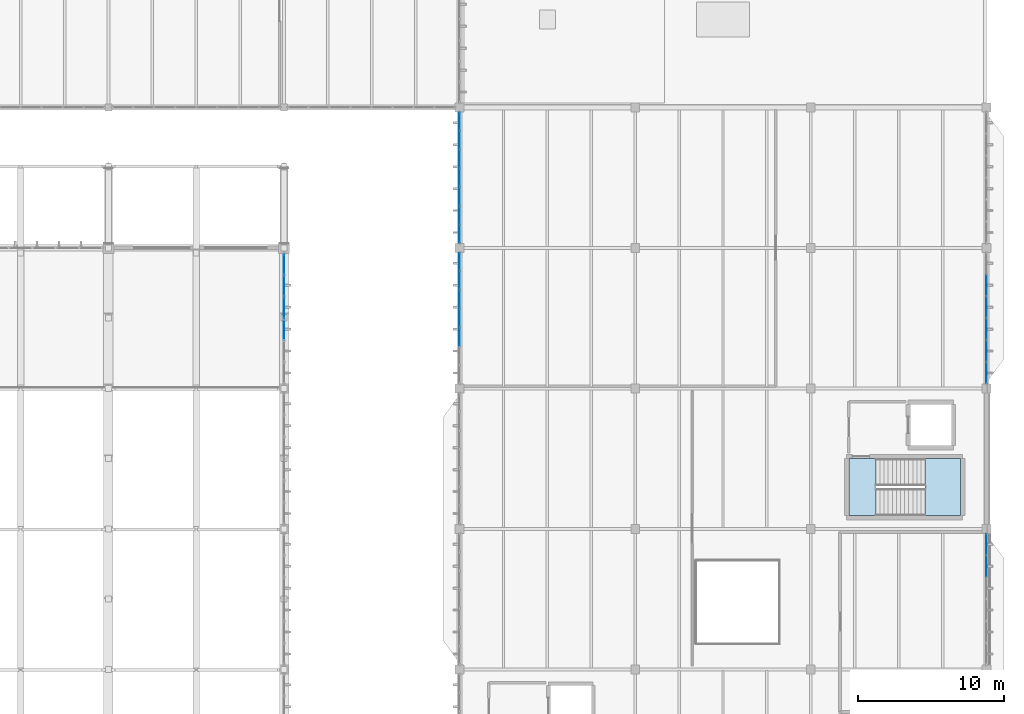
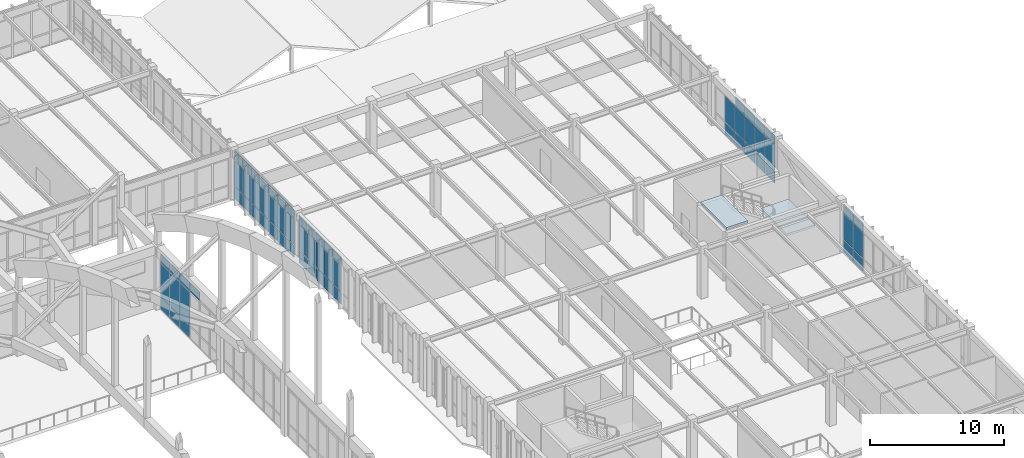
# One storey, part 205 of 236: 66 plates, 2 slabs, 6 elements without a shape of their own.
"""IFC4 building model written with IfcOpenShell, lengths in metres."""

import ifcopenshell
import ifcopenshell.guid

model = None  # the IFC model being written
_history = None  # IfcOwnerHistory: only IFC2X3 demands one
_inside = {}  # id of a spatial element -> (the spatial element, [elements in it])
_under = {}  # id of a project, library or spatial element -> (it, [spatial elements below it])
_declared = {}  # id of a project -> (the project, [libraries it declares])
_typed = {}  # id of a type object -> (the type object, [elements of that type])
_made_of = {}  # id of a material, layer set ... -> (it, [elements and type objects made of it])


def new_model(schema):
    """Start an empty IFC model of exactly this schema.

    Asked for "IFC4X3", IfcOpenShell would pick the latest addendum, in which some entities
    have other attributes; the version numbers below select the first issue.
    IFC2X3 requires an IfcOwnerHistory on every rooted entity: one is made here for all.
    """
    global model, _history
    if schema == "IFC4X3":
        model = ifcopenshell.file(schema_version=(4, 3, 0, 0))
    else:
        model = ifcopenshell.file(schema=schema)
    _inside.clear()
    _under.clear()
    _declared.clear()
    _typed.clear()
    _made_of.clear()
    _history = None
    if model.schema == "IFC2X3":
        org = make("IfcOrganization", Name="unknown")
        user = make(
            "IfcPersonAndOrganization",
            ThePerson=make("IfcPerson", FamilyName="unknown"),
            TheOrganization=org,
        )
        app = make(
            "IfcApplication",
            ApplicationDeveloper=org,
            Version="unknown",
            ApplicationFullName="unknown",
            ApplicationIdentifier="unknown",
        )
        _history = make(
            "IfcOwnerHistory",
            OwningUser=user,
            OwningApplication=app,
            ChangeAction="ADDED",
            CreationDate=0,
        )
    return model


def make(cls, **values):
    """One entity of the class cls with the attributes given. An attribute that is None is left unset."""
    return model.create_entity(
        cls, **{name: value for name, value in values.items() if value is not None}
    )


def rooted(cls, **values):
    """An entity with a GlobalId (a new one), such as an element, a storey or a relation."""
    return make(cls, GlobalId=ifcopenshell.guid.new(), OwnerHistory=_history, **values)


def si_unit(unit_type, name, prefix=None):
    """IfcSIUnit, for example si_unit("LENGTHUNIT", "METRE", prefix="MILLI")."""
    return make("IfcSIUnit", UnitType=unit_type, Prefix=prefix, Name=name)


def assignment(units):
    """IfcUnitAssignment: the units of a project."""
    return None if units is None else make("IfcUnitAssignment", Units=units)


def point(xyz):
    """IfcCartesianPoint."""
    return None if xyz is None else make("IfcCartesianPoint", Coordinates=xyz)


def direction(xyz):
    """IfcDirection."""
    return None if xyz is None else make("IfcDirection", DirectionRatios=xyz)


def frame(location, z_axis=None, x_axis=None):
    """IfcAxis2Placement3D, a coordinate frame: its origin and axes. An axis left out is left unset."""
    return make(
        "IfcAxis2Placement3D",
        Location=point(location),
        Axis=direction(z_axis),
        RefDirection=direction(x_axis),
    )


def frame_2d(location, x_axis=None):
    """IfcAxis2Placement2D, a coordinate frame in the plane: its origin and x axis."""
    return make(
        "IfcAxis2Placement2D", Location=point(location), RefDirection=direction(x_axis)
    )


def origin():
    """The frame at (0, 0, 0) with its axes left unset."""
    return frame((0.0, 0.0, 0.0))


def origin_2d():
    """The frame at (0, 0) in the plane with its x axis left unset."""
    return frame_2d((0.0, 0.0))


def place(relative_to, where):
    """IfcLocalPlacement: puts the frame where relative to a parent placement (None: the world)."""
    return make(
        "IfcLocalPlacement", PlacementRelTo=relative_to, RelativePlacement=where
    )


def context(
    kind, dimensions, precision=None, world=None, true_north=None, identifier=None
):
    """IfcGeometricRepresentationContext, for example the 3D "Model" context."""
    return make(
        "IfcGeometricRepresentationContext",
        ContextIdentifier=identifier,
        ContextType=kind,
        CoordinateSpaceDimension=dimensions,
        Precision=precision,
        WorldCoordinateSystem=world,
        TrueNorth=true_north,
    )


def subcontext(parent, identifier, kind, view, scale=None):
    """IfcGeometricRepresentationSubContext, for example "Body" below "Model"."""
    return make(
        "IfcGeometricRepresentationSubContext",
        ContextIdentifier=identifier,
        ContextType=kind,
        ParentContext=parent,
        TargetScale=scale,
        TargetView=view,
    )


def project(units=None, contexts=None):
    """IfcProject with its units and contexts."""
    return rooted(
        "IfcProject",
        Name="project",
        RepresentationContexts=contexts,
        UnitsInContext=assignment(units),
    )


def spatial(cls, under=None, at=None, **own):
    """A site, building, storey or space (cls), placed at a placement, below another one or the project."""
    s = rooted(cls, ObjectPlacement=at, **own)
    if under is not None:
        _under.setdefault(under.id(), (under, []))[1].append(s)
    return s


def polyline(points):
    """IfcPolyline through the points."""
    return make("IfcPolyline", Points=[point(p) for p in points])


def profile(cls, at=None, kind="AREA", **sizes):
    """A parametric profile (cls). Its sizes go by their IFC names, for example OverallWidth=200.0."""
    return make(cls, ProfileType=kind, Position=at, **sizes)


def rectangle(**sizes):
    """IfcRectangleProfileDef."""
    return profile("IfcRectangleProfileDef", **sizes)


def outline(outer, holes=None, kind="AREA"):
    """IfcArbitraryClosedProfileDef: a profile drawn as a closed curve; with holes, ...WithVoids."""
    if holes is None:
        return make("IfcArbitraryClosedProfileDef", ProfileType=kind, OuterCurve=outer)
    return make(
        "IfcArbitraryProfileDefWithVoids",
        ProfileType=kind,
        OuterCurve=outer,
        InnerCurves=holes,
    )


def extrude(swept, where, along, depth):
    """IfcExtrudedAreaSolid: the profile swept, set in the frame where, extruded along a direction by depth."""
    return make(
        "IfcExtrudedAreaSolid",
        SweptArea=swept,
        Position=where,
        ExtrudedDirection=direction(along),
        Depth=depth,
    )


def shape(context_of_items, identifier, shape_type, items):
    """IfcShapeRepresentation: the items that make up one representation, for example the "Body"."""
    return make(
        "IfcShapeRepresentation",
        ContextOfItems=context_of_items,
        RepresentationIdentifier=identifier,
        RepresentationType=shape_type,
        Items=items,
    )


def material(Name=None, Category=None):
    """IfcMaterial."""
    return make("IfcMaterial", Name=Name, Category=Category)


def layer(
    of_material, thickness, ventilated=None, Name=None, Category=None, Priority=None
):
    """IfcMaterialLayer: one layer of a wall or slab, of a material (None: an air gap)."""
    return make(
        "IfcMaterialLayer",
        Material=of_material,
        LayerThickness=thickness,
        IsVentilated=ventilated,
        Name=Name,
        Category=Category,
        Priority=Priority,
    )


def layer_set(layers, Name=None):
    """IfcMaterialLayerSet."""
    return make("IfcMaterialLayerSet", MaterialLayers=layers, LayerSetName=Name)


def made_of(thing, what):
    """Note that an element or type object is made of a material, layer set ...; save() writes the relation."""
    if what is not None:
        _made_of.setdefault(what.id(), (what, []))[1].append(thing)
    return thing


def type_object(cls, material=None, **own):
    """A type object (cls), such as IfcWallType, which elements share."""
    return made_of(rooted(cls, **own), material)


def element(
    cls,
    number,
    at=None,
    inside=None,
    cuts=None,
    type_object=None,
    material=None,
    context=None,
    identifier="Body",
    shape_type=None,
    held_by="IfcProductDefinitionShape",
    body=None,
    shapes=None,
    **own,
):
    """One element of the class cls, such as IfcWall. Its Tag is "e" and its number.

    at: its placement. inside: the storey or other place that contains it. cuts: it is an
    opening in that element (IfcRelVoidsElement). A single representation is given by context,
    identifier, shape_type and body (its items); several are given by shapes. held_by: the class
    of the entity that holds the representations. save() writes the other relations.
    """
    e = rooted(cls, Tag="e%d" % number, ObjectPlacement=at, **own)
    if body is not None:
        shapes = [shape(context, identifier, shape_type, body)]
    if shapes is not None:
        e.Representation = make(held_by, Representations=shapes)
    if inside is not None:
        _inside.setdefault(inside.id(), (inside, []))[1].append(e)
    if cuts is not None:
        rooted(
            "IfcRelVoidsElement", RelatingBuildingElement=cuts, RelatedOpeningElement=e
        )
    if type_object is not None:
        _typed.setdefault(type_object.id(), (type_object, []))[1].append(e)
    return made_of(e, material)


def aggregate(whole, parts):
    """IfcRelAggregates: a whole, such as a stair, and the parts it consists of."""
    return rooted("IfcRelAggregates", RelatingObject=whole, RelatedObjects=parts)


def save(model, path):
    """Write the relations noted so far, then the file.

    IfcRelAggregates (storeys below a building ...), IfcRelContainedInSpatialStructure (elements
    in a storey), IfcRelDefinesByType, IfcRelAssociatesMaterial and IfcRelDeclares: one each for
    every whole, place, type object, material and project.
    """
    for whole, parts in _under.values():
        aggregate(whole, parts)
    for where, things in _inside.values():
        rooted(
            "IfcRelContainedInSpatialStructure",
            RelatedElements=things,
            RelatingStructure=where,
        )
    for kind, things in _typed.values():
        rooted("IfcRelDefinesByType", RelatedObjects=things, RelatingType=kind)
    for what, things in _made_of.values():
        rooted("IfcRelAssociatesMaterial", RelatedObjects=things, RelatingMaterial=what)
    for by, libraries in _declared.values():
        rooted("IfcRelDeclares", RelatingContext=by, RelatedDefinitions=libraries)
    model.write(path)


model = new_model("IFC4")

# Units and contexts
model_context = context("Model", 3, precision=1e-05, world=origin(), true_north=direction((0.0, 1.0)))
body_context = subcontext(model_context, "Body", "Model", "MODEL_VIEW")
ifc_project = project(units=[si_unit("LENGTHUNIT", "METRE"), si_unit("AREAUNIT", "SQUARE_METRE"), si_unit("VOLUMEUNIT", "CUBIC_METRE"), si_unit("PLANEANGLEUNIT", "RADIAN"), si_unit("MASSUNIT", "GRAM", prefix="KILO")], contexts=[model_context])

# Site, building, storey
site_placement = place(None, origin())
site = spatial("IfcSite", under=ifc_project, at=site_placement, CompositionType="ELEMENT")
building_placement = place(site_placement, origin())
building = spatial("IfcBuilding", under=site, at=building_placement, Name="Pandanus Reach Market Hall", CompositionType="ELEMENT")
storey_placement = place(building_placement, frame((0.0, 0.0, 5.39990234375)))
storey = spatial("IfcBuildingStorey", under=building, at=storey_placement, Name="L01", CompositionType="ELEMENT", Elevation=5.39990234375)

# Curtain wall, plates
ifc_material_1 = material(Name="Bronze anodised aluminium and low-E glass", Category="aluminium")
ifc_layer_1 = layer(ifc_material_1, 0.159912109375, Name="CW-28")
ifc_layer_set_1 = layer_set([ifc_layer_1], Name="Bronze anodised aluminium and low-E glass")
curtain_wall_type_1 = type_object("IfcCurtainWallType", Name="CW-28", PredefinedType="NOTDEFINED", material=ifc_layer_set_1)
curtain_wall_1_placement = place(storey_placement, origin())
curtain_wall_1 = element("IfcCurtainWall", 1, at=curtain_wall_1_placement, inside=storey, type_object=curtain_wall_type_1, Name="Glazed curtain wall CW-28 CW-0088", PredefinedType="NOTDEFINED")
ifc_material_2 = material(Name="Solar-control double glazing", Category="glass")
ifc_layer_2 = layer(ifc_material_2, 0.028076171875, Name="CW-P1")
ifc_layer_set_2 = layer_set([ifc_layer_2], Name="Solar-control double glazing")
plate_type_1 = type_object("IfcPlateType", Name="CW-P1", PredefinedType="CURTAIN_PANEL", material=ifc_layer_set_2)
plate_1_placement = place(storey_placement, frame((180.0, 64.64990234375, 0.065185546875), z_axis=(0.0, 0.0, 1.0), x_axis=(0.0, 1.0, 0.0)))
plate_1 = element("IfcPlate", 2, at=plate_1_placement, type_object=plate_type_1, Name="CW-28 panel 5.1", PredefinedType="CURTAIN_PANEL", context=body_context, shape_type="SweptSolid", body=[
    extrude(rectangle(XDim=1.43505859375, YDim=0.028076171875, at=origin_2d()), origin(), (0.0, 0.0, 1.0), 1.1025390625),
])
plate_2_placement = place(storey_placement, frame((180.0, 64.64990234375, 1.232666015625), z_axis=(0.0, 0.0, 1.0), x_axis=(0.0, 1.0, 0.0)))
plate_2 = element("IfcPlate", 3, at=plate_2_placement, type_object=plate_type_1, Name="CW-28 panel 5.2", PredefinedType="CURTAIN_PANEL", context=body_context, shape_type="SweptSolid", body=[
    extrude(rectangle(XDim=1.43505859375, YDim=0.028076171875, at=origin_2d()), origin(), (0.0, 0.0, 1.0), 2.3349609375),
])
plate_3_placement = place(storey_placement, frame((180.0, 64.64990234375, 3.6328125), z_axis=(0.0, 0.0, 1.0), x_axis=(0.0, 1.0, 0.0)))
plate_3 = element("IfcPlate", 4, at=plate_3_placement, type_object=plate_type_1, Name="CW-28 panel 5.3", PredefinedType="CURTAIN_PANEL", context=body_context, shape_type="SweptSolid", body=[
    extrude(rectangle(XDim=1.43505859375, YDim=0.028076171875, at=origin_2d()), origin(), (0.0, 0.0, 1.0), 0.802490234375),
])
plate_4_placement = place(storey_placement, frame((180.0, 66.1337890625, 0.065185546875), z_axis=(0.0, 0.0, 1.0), x_axis=(0.0, 1.0, 0.0)))
plate_4 = element("IfcPlate", 5, at=plate_4_placement, type_object=plate_type_1, Name="CW-28 panel 6.1", PredefinedType="CURTAIN_PANEL", context=body_context, shape_type="SweptSolid", body=[
    extrude(rectangle(XDim=1.402587890625, YDim=0.028076171875, at=origin_2d()), origin(), (0.0, 0.0, 1.0), 1.1025390625),
])
plate_5_placement = place(storey_placement, frame((180.0, 66.1337890625, 1.232666015625), z_axis=(0.0, 0.0, 1.0), x_axis=(0.0, 1.0, 0.0)))
plate_5 = element("IfcPlate", 6, at=plate_5_placement, type_object=plate_type_1, Name="CW-28 panel 6.2", PredefinedType="CURTAIN_PANEL", context=body_context, shape_type="SweptSolid", body=[
    extrude(rectangle(XDim=1.402587890625, YDim=0.028076171875, at=origin_2d()), origin(), (0.0, 0.0, 1.0), 2.3349609375),
])
plate_6_placement = place(storey_placement, frame((180.0, 66.1337890625, 3.6328125), z_axis=(0.0, 0.0, 1.0), x_axis=(0.0, 1.0, 0.0)))
plate_6 = element("IfcPlate", 7, at=plate_6_placement, type_object=plate_type_1, Name="CW-28 panel 6.3", PredefinedType="CURTAIN_PANEL", context=body_context, shape_type="SweptSolid", body=[
    extrude(rectangle(XDim=1.402587890625, YDim=0.028076171875, at=origin_2d()), origin(), (0.0, 0.0, 1.0), 0.802490234375),
])
aggregate(curtain_wall_1, [plate_1, plate_2, plate_3, plate_4, plate_5, plate_6])

curtain_wall_2_placement = place(storey_placement, origin())
curtain_wall_2 = element("IfcCurtainWall", 8, at=curtain_wall_2_placement, inside=storey, type_object=curtain_wall_type_1, Name="Glazed curtain wall CW-28 CW-0089", PredefinedType="NOTDEFINED")
plate_7_placement = place(storey_placement, frame((180.0, 77.8662109375, 0.065185546875), z_axis=(0.0, 0.0, 1.0), x_axis=(0.0, 1.0, 0.0)))
plate_7 = element("IfcPlate", 9, at=plate_7_placement, type_object=plate_type_1, Name="CW-28 panel 1.1", PredefinedType="CURTAIN_PANEL", context=body_context, shape_type="SweptSolid", body=[
    extrude(rectangle(XDim=1.402587890625, YDim=0.028076171875, at=origin_2d()), origin(), (0.0, 0.0, 1.0), 1.1025390625),
])
plate_8_placement = place(storey_placement, frame((180.0, 77.8662109375, 1.232666015625), z_axis=(0.0, 0.0, 1.0), x_axis=(0.0, 1.0, 0.0)))
plate_8 = element("IfcPlate", 10, at=plate_8_placement, type_object=plate_type_1, Name="CW-28 panel 1.2", PredefinedType="CURTAIN_PANEL", context=body_context, shape_type="SweptSolid", body=[
    extrude(rectangle(XDim=1.402587890625, YDim=0.028076171875, at=origin_2d()), origin(), (0.0, 0.0, 1.0), 2.3349609375),
])
plate_9_placement = place(storey_placement, frame((180.0, 77.8662109375, 3.6328125), z_axis=(0.0, 0.0, 1.0), x_axis=(0.0, 1.0, 0.0)))
plate_9 = element("IfcPlate", 11, at=plate_9_placement, type_object=plate_type_1, Name="CW-28 panel 1.3", PredefinedType="CURTAIN_PANEL", context=body_context, shape_type="SweptSolid", body=[
    extrude(rectangle(XDim=1.402587890625, YDim=0.028076171875, at=origin_2d()), origin(), (0.0, 0.0, 1.0), 0.802490234375),
])
plate_10_placement = place(storey_placement, frame((180.0, 79.35009765625, 0.065185546875), z_axis=(0.0, 0.0, 1.0), x_axis=(0.0, 1.0, 0.0)))
plate_10 = element("IfcPlate", 12, at=plate_10_placement, type_object=plate_type_1, Name="CW-28 panel 2.1", PredefinedType="CURTAIN_PANEL", context=body_context, shape_type="SweptSolid", body=[
    extrude(rectangle(XDim=1.43505859375, YDim=0.028076171875, at=origin_2d()), origin(), (0.0, 0.0, 1.0), 1.1025390625),
])
plate_11_placement = place(storey_placement, frame((180.0, 79.35009765625, 1.232666015625), z_axis=(0.0, 0.0, 1.0), x_axis=(0.0, 1.0, 0.0)))
plate_11 = element("IfcPlate", 13, at=plate_11_placement, type_object=plate_type_1, Name="CW-28 panel 2.2", PredefinedType="CURTAIN_PANEL", context=body_context, shape_type="SweptSolid", body=[
    extrude(rectangle(XDim=1.43505859375, YDim=0.028076171875, at=origin_2d()), origin(), (0.0, 0.0, 1.0), 2.3349609375),
])
plate_12_placement = place(storey_placement, frame((180.0, 79.35009765625, 3.6328125), z_axis=(0.0, 0.0, 1.0), x_axis=(0.0, 1.0, 0.0)))
plate_12 = element("IfcPlate", 14, at=plate_12_placement, type_object=plate_type_1, Name="CW-28 panel 2.3", PredefinedType="CURTAIN_PANEL", context=body_context, shape_type="SweptSolid", body=[
    extrude(rectangle(XDim=1.43505859375, YDim=0.028076171875, at=origin_2d()), origin(), (0.0, 0.0, 1.0), 0.802490234375),
])
plate_13_placement = place(storey_placement, frame((180.0, 80.85009765625, 0.065185546875), z_axis=(0.0, 0.0, 1.0), x_axis=(0.0, 1.0, 0.0)))
plate_13 = element("IfcPlate", 15, at=plate_13_placement, type_object=plate_type_1, Name="CW-28 panel 3.1", PredefinedType="CURTAIN_PANEL", context=body_context, shape_type="SweptSolid", body=[
    extrude(rectangle(XDim=1.43505859375, YDim=0.028076171875, at=origin_2d()), origin(), (0.0, 0.0, 1.0), 1.1025390625),
])
plate_14_placement = place(storey_placement, frame((180.0, 80.85009765625, 1.232666015625), z_axis=(0.0, 0.0, 1.0), x_axis=(0.0, 1.0, 0.0)))
plate_14 = element("IfcPlate", 16, at=plate_14_placement, type_object=plate_type_1, Name="CW-28 panel 3.2", PredefinedType="CURTAIN_PANEL", context=body_context, shape_type="SweptSolid", body=[
    extrude(rectangle(XDim=1.43505859375, YDim=0.028076171875, at=origin_2d()), origin(), (0.0, 0.0, 1.0), 2.3349609375),
])
plate_15_placement = place(storey_placement, frame((180.0, 80.85009765625, 3.6328125), z_axis=(0.0, 0.0, 1.0), x_axis=(0.0, 1.0, 0.0)))
plate_15 = element("IfcPlate", 17, at=plate_15_placement, type_object=plate_type_1, Name="CW-28 panel 3.3", PredefinedType="CURTAIN_PANEL", context=body_context, shape_type="SweptSolid", body=[
    extrude(rectangle(XDim=1.43505859375, YDim=0.028076171875, at=origin_2d()), origin(), (0.0, 0.0, 1.0), 0.802490234375),
])
plate_16_placement = place(storey_placement, frame((180.0, 82.35009765625, 0.065185546875), z_axis=(0.0, 0.0, 1.0), x_axis=(0.0, 1.0, 0.0)))
plate_16 = element("IfcPlate", 18, at=plate_16_placement, type_object=plate_type_1, Name="CW-28 panel 4.1", PredefinedType="CURTAIN_PANEL", context=body_context, shape_type="SweptSolid", body=[
    extrude(rectangle(XDim=1.43505859375, YDim=0.028076171875, at=origin_2d()), origin(), (0.0, 0.0, 1.0), 1.1025390625),
])
plate_17_placement = place(storey_placement, frame((180.0, 82.35009765625, 1.232666015625), z_axis=(0.0, 0.0, 1.0), x_axis=(0.0, 1.0, 0.0)))
plate_17 = element("IfcPlate", 19, at=plate_17_placement, type_object=plate_type_1, Name="CW-28 panel 4.2", PredefinedType="CURTAIN_PANEL", context=body_context, shape_type="SweptSolid", body=[
    extrude(rectangle(XDim=1.43505859375, YDim=0.028076171875, at=origin_2d()), origin(), (0.0, 0.0, 1.0), 2.3349609375),
])
plate_18_placement = place(storey_placement, frame((180.0, 82.35009765625, 3.6328125), z_axis=(0.0, 0.0, 1.0), x_axis=(0.0, 1.0, 0.0)))
plate_18 = element("IfcPlate", 20, at=plate_18_placement, type_object=plate_type_1, Name="CW-28 panel 4.3", PredefinedType="CURTAIN_PANEL", context=body_context, shape_type="SweptSolid", body=[
    extrude(rectangle(XDim=1.43505859375, YDim=0.028076171875, at=origin_2d()), origin(), (0.0, 0.0, 1.0), 0.802490234375),
])
plate_19_placement = place(storey_placement, frame((180.0, 83.85009765625, 0.065185546875), z_axis=(0.0, 0.0, 1.0), x_axis=(0.0, 1.0, 0.0)))
plate_19 = element("IfcPlate", 21, at=plate_19_placement, type_object=plate_type_1, Name="CW-28 panel 5.1", PredefinedType="CURTAIN_PANEL", context=body_context, shape_type="SweptSolid", body=[
    extrude(rectangle(XDim=1.43505859375, YDim=0.028076171875, at=origin_2d()), origin(), (0.0, 0.0, 1.0), 1.1025390625),
])
plate_20_placement = place(storey_placement, frame((180.0, 83.85009765625, 1.232666015625), z_axis=(0.0, 0.0, 1.0), x_axis=(0.0, 1.0, 0.0)))
plate_20 = element("IfcPlate", 22, at=plate_20_placement, type_object=plate_type_1, Name="CW-28 panel 5.2", PredefinedType="CURTAIN_PANEL", context=body_context, shape_type="SweptSolid", body=[
    extrude(rectangle(XDim=1.43505859375, YDim=0.028076171875, at=origin_2d()), origin(), (0.0, 0.0, 1.0), 2.3349609375),
])
aggregate(curtain_wall_2, [plate_7, plate_8, plate_9, plate_10, plate_11, plate_12, plate_13, plate_14, plate_15, plate_16, plate_17, plate_18, plate_19, plate_20])

ifc_layer_3 = layer(ifc_material_1, 0.159912109375, Name="CW-29")
ifc_layer_set_3 = layer_set([ifc_layer_3], Name="Bronze anodised aluminium and low-E glass")
curtain_wall_type_2 = type_object("IfcCurtainWallType", Name="CW-29", PredefinedType="NOTDEFINED", material=ifc_layer_set_3)
curtain_wall_3_placement = place(storey_placement, origin())
curtain_wall_3 = element("IfcCurtainWall", 23, at=curtain_wall_3_placement, inside=storey, type_object=curtain_wall_type_2, Name="Glazed curtain wall CW-29 CW-0098", PredefinedType="NOTDEFINED")
plate_21_placement = place(storey_placement, frame((144.0, 80.314208984375, 0.065185546875), z_axis=(0.0, 0.0, 1.0), x_axis=(0.0, 1.0, 0.0)))
plate_21 = element("IfcPlate", 24, at=plate_21_placement, type_object=plate_type_1, Name="CW-29 panel 3.1", PredefinedType="CURTAIN_PANEL", context=body_context, shape_type="SweptSolid", body=[
    extrude(rectangle(XDim=1.220703125, YDim=0.028076171875, at=origin_2d()), origin(), (0.0, 0.0, 1.0), 1.1025390625),
])
plate_22_placement = place(storey_placement, frame((144.0, 80.314208984375, 1.232666015625), z_axis=(0.0, 0.0, 1.0), x_axis=(0.0, 1.0, 0.0)))
plate_22 = element("IfcPlate", 25, at=plate_22_placement, type_object=plate_type_1, Name="CW-29 panel 3.2", PredefinedType="CURTAIN_PANEL", context=body_context, shape_type="SweptSolid", body=[
    extrude(rectangle(XDim=1.220703125, YDim=0.028076171875, at=origin_2d()), origin(), (0.0, 0.0, 1.0), 2.3349609375),
])
plate_23_placement = place(storey_placement, frame((144.0, 80.314208984375, 3.6328125), z_axis=(0.0, 0.0, 1.0), x_axis=(0.0, 1.0, 0.0)))
plate_23 = element("IfcPlate", 26, at=plate_23_placement, type_object=plate_type_1, Name="CW-29 panel 3.3", PredefinedType="CURTAIN_PANEL", context=body_context, shape_type="SweptSolid", body=[
    extrude(rectangle(XDim=1.220703125, YDim=0.028076171875, at=origin_2d()), origin(), (0.0, 0.0, 1.0), 0.802490234375),
])
plate_24_placement = place(storey_placement, frame((144.0, 81.60009765625, 0.065185546875), z_axis=(0.0, 0.0, 1.0), x_axis=(0.0, 1.0, 0.0)))
plate_24 = element("IfcPlate", 27, at=plate_24_placement, type_object=plate_type_1, Name="CW-29 panel 4.1", PredefinedType="CURTAIN_PANEL", context=body_context, shape_type="SweptSolid", body=[
    extrude(rectangle(XDim=1.220703125, YDim=0.028076171875, at=origin_2d()), origin(), (0.0, 0.0, 1.0), 1.1025390625),
])
plate_25_placement = place(storey_placement, frame((144.0, 81.60009765625, 1.232666015625), z_axis=(0.0, 0.0, 1.0), x_axis=(0.0, 1.0, 0.0)))
plate_25 = element("IfcPlate", 28, at=plate_25_placement, type_object=plate_type_1, Name="CW-29 panel 4.2", PredefinedType="CURTAIN_PANEL", context=body_context, shape_type="SweptSolid", body=[
    extrude(rectangle(XDim=1.220703125, YDim=0.028076171875, at=origin_2d()), origin(), (0.0, 0.0, 1.0), 2.3349609375),
])
plate_26_placement = place(storey_placement, frame((144.0, 81.60009765625, 3.6328125), z_axis=(0.0, 0.0, 1.0), x_axis=(0.0, 1.0, 0.0)))
plate_26 = element("IfcPlate", 29, at=plate_26_placement, type_object=plate_type_1, Name="CW-29 panel 4.3", PredefinedType="CURTAIN_PANEL", context=body_context, shape_type="SweptSolid", body=[
    extrude(rectangle(XDim=1.220703125, YDim=0.028076171875, at=origin_2d()), origin(), (0.0, 0.0, 1.0), 0.802490234375),
])
plate_27_placement = place(storey_placement, frame((144.0, 82.8857421875, 0.065185546875), z_axis=(0.0, 0.0, 1.0), x_axis=(0.0, 1.0, 0.0)))
plate_27 = element("IfcPlate", 30, at=plate_27_placement, type_object=plate_type_1, Name="CW-29 panel 5.1", PredefinedType="CURTAIN_PANEL", context=body_context, shape_type="SweptSolid", body=[
    extrude(rectangle(XDim=1.220703125, YDim=0.028076171875, at=origin_2d()), origin(), (0.0, 0.0, 1.0), 1.1025390625),
])
plate_28_placement = place(storey_placement, frame((144.0, 82.8857421875, 1.232666015625), z_axis=(0.0, 0.0, 1.0), x_axis=(0.0, 1.0, 0.0)))
plate_28 = element("IfcPlate", 31, at=plate_28_placement, type_object=plate_type_1, Name="CW-29 panel 5.2", PredefinedType="CURTAIN_PANEL", context=body_context, shape_type="SweptSolid", body=[
    extrude(rectangle(XDim=1.220703125, YDim=0.028076171875, at=origin_2d()), origin(), (0.0, 0.0, 1.0), 2.3349609375),
])
plate_29_placement = place(storey_placement, frame((144.0, 82.8857421875, 3.6328125), z_axis=(0.0, 0.0, 1.0), x_axis=(0.0, 1.0, 0.0)))
plate_29 = element("IfcPlate", 32, at=plate_29_placement, type_object=plate_type_1, Name="CW-29 panel 5.3", PredefinedType="CURTAIN_PANEL", context=body_context, shape_type="SweptSolid", body=[
    extrude(rectangle(XDim=1.220703125, YDim=0.028076171875, at=origin_2d()), origin(), (0.0, 0.0, 1.0), 0.802490234375),
])
plate_30_placement = place(storey_placement, frame((144.0, 84.17138671875, 0.065185546875), z_axis=(0.0, 0.0, 1.0), x_axis=(0.0, 1.0, 0.0)))
plate_30 = element("IfcPlate", 33, at=plate_30_placement, type_object=plate_type_1, Name="CW-29 panel 6.1", PredefinedType="CURTAIN_PANEL", context=body_context, shape_type="SweptSolid", body=[
    extrude(rectangle(XDim=1.220703125, YDim=0.028076171875, at=origin_2d()), origin(), (0.0, 0.0, 1.0), 1.1025390625),
])
plate_31_placement = place(storey_placement, frame((144.0, 84.17138671875, 1.232666015625), z_axis=(0.0, 0.0, 1.0), x_axis=(0.0, 1.0, 0.0)))
plate_31 = element("IfcPlate", 34, at=plate_31_placement, type_object=plate_type_1, Name="CW-29 panel 6.2", PredefinedType="CURTAIN_PANEL", context=body_context, shape_type="SweptSolid", body=[
    extrude(rectangle(XDim=1.220703125, YDim=0.028076171875, at=origin_2d()), origin(), (0.0, 0.0, 1.0), 2.3349609375),
])
plate_32_placement = place(storey_placement, frame((144.0, 84.17138671875, 3.6328125), z_axis=(0.0, 0.0, 1.0), x_axis=(0.0, 1.0, 0.0)))
plate_32 = element("IfcPlate", 35, at=plate_32_placement, type_object=plate_type_1, Name="CW-29 panel 6.3", PredefinedType="CURTAIN_PANEL", context=body_context, shape_type="SweptSolid", body=[
    extrude(rectangle(XDim=1.220703125, YDim=0.028076171875, at=origin_2d()), origin(), (0.0, 0.0, 1.0), 0.802490234375),
])
plate_33_placement = place(storey_placement, frame((144.0, 85.44091796875, 0.065185546875), z_axis=(0.0, 0.0, 1.0), x_axis=(0.0, 1.0, 0.0)))
plate_33 = element("IfcPlate", 36, at=plate_33_placement, type_object=plate_type_1, Name="CW-29 panel 7.1", PredefinedType="CURTAIN_PANEL", context=body_context, shape_type="SweptSolid", body=[
    extrude(rectangle(XDim=1.188232421875, YDim=0.028076171875, at=origin_2d()), origin(), (0.0, 0.0, 1.0), 1.1025390625),
])
plate_34_placement = place(storey_placement, frame((144.0, 85.44091796875, 1.232666015625), z_axis=(0.0, 0.0, 1.0), x_axis=(0.0, 1.0, 0.0)))
plate_34 = element("IfcPlate", 37, at=plate_34_placement, type_object=plate_type_1, Name="CW-29 panel 7.2", PredefinedType="CURTAIN_PANEL", context=body_context, shape_type="SweptSolid", body=[
    extrude(rectangle(XDim=1.188232421875, YDim=0.028076171875, at=origin_2d()), origin(), (0.0, 0.0, 1.0), 2.3349609375),
])
plate_35_placement = place(storey_placement, frame((144.0, 85.44091796875, 3.6328125), z_axis=(0.0, 0.0, 1.0), x_axis=(0.0, 1.0, 0.0)))
plate_35 = element("IfcPlate", 38, at=plate_35_placement, type_object=plate_type_1, Name="CW-29 panel 7.3", PredefinedType="CURTAIN_PANEL", context=body_context, shape_type="SweptSolid", body=[
    extrude(rectangle(XDim=1.188232421875, YDim=0.028076171875, at=origin_2d()), origin(), (0.0, 0.0, 1.0), 0.802490234375),
])
aggregate(curtain_wall_3, [plate_21, plate_22, plate_23, plate_24, plate_25, plate_26, plate_27, plate_28, plate_29, plate_30, plate_31, plate_32, plate_33, plate_34, plate_35])

curtain_wall_4_placement = place(storey_placement, origin())
curtain_wall_4 = element("IfcCurtainWall", 39, at=curtain_wall_4_placement, inside=storey, type_object=curtain_wall_type_2, Name="Glazed curtain wall CW-29 CW-0099", PredefinedType="NOTDEFINED")
plate_36_placement = place(storey_placement, frame((144.0, 87.359130859375, 0.065185546875), z_axis=(0.0, 0.0, 1.0), x_axis=(0.0, 1.0, 0.0)))
plate_36 = element("IfcPlate", 40, at=plate_36_placement, type_object=plate_type_1, Name="CW-29 panel 1.1", PredefinedType="CURTAIN_PANEL", context=body_context, shape_type="SweptSolid", body=[
    extrude(rectangle(XDim=1.188232421875, YDim=0.028076171875, at=origin_2d()), origin(), (0.0, 0.0, 1.0), 1.1025390625),
])
plate_37_placement = place(storey_placement, frame((144.0, 87.359130859375, 1.232666015625), z_axis=(0.0, 0.0, 1.0), x_axis=(0.0, 1.0, 0.0)))
plate_37 = element("IfcPlate", 41, at=plate_37_placement, type_object=plate_type_1, Name="CW-29 panel 1.2", PredefinedType="CURTAIN_PANEL", context=body_context, shape_type="SweptSolid", body=[
    extrude(rectangle(XDim=1.188232421875, YDim=0.028076171875, at=origin_2d()), origin(), (0.0, 0.0, 1.0), 2.3349609375),
])
plate_38_placement = place(storey_placement, frame((144.0, 87.359130859375, 3.6328125), z_axis=(0.0, 0.0, 1.0), x_axis=(0.0, 1.0, 0.0)))
plate_38 = element("IfcPlate", 42, at=plate_38_placement, type_object=plate_type_1, Name="CW-29 panel 1.3", PredefinedType="CURTAIN_PANEL", context=body_context, shape_type="SweptSolid", body=[
    extrude(rectangle(XDim=1.188232421875, YDim=0.028076171875, at=origin_2d()), origin(), (0.0, 0.0, 1.0), 0.802490234375),
])
plate_39_placement = place(storey_placement, frame((144.0, 88.628662109375, 0.065185546875), z_axis=(0.0, 0.0, 1.0), x_axis=(0.0, 1.0, 0.0)))
plate_39 = element("IfcPlate", 43, at=plate_39_placement, type_object=plate_type_1, Name="CW-29 panel 2.1", PredefinedType="CURTAIN_PANEL", context=body_context, shape_type="SweptSolid", body=[
    extrude(rectangle(XDim=1.220703125, YDim=0.028076171875, at=origin_2d()), origin(), (0.0, 0.0, 1.0), 1.1025390625),
])
plate_40_placement = place(storey_placement, frame((144.0, 88.628662109375, 1.232666015625), z_axis=(0.0, 0.0, 1.0), x_axis=(0.0, 1.0, 0.0)))
plate_40 = element("IfcPlate", 44, at=plate_40_placement, type_object=plate_type_1, Name="CW-29 panel 2.2", PredefinedType="CURTAIN_PANEL", context=body_context, shape_type="SweptSolid", body=[
    extrude(rectangle(XDim=1.220703125, YDim=0.028076171875, at=origin_2d()), origin(), (0.0, 0.0, 1.0), 2.3349609375),
])
plate_41_placement = place(storey_placement, frame((144.0, 88.628662109375, 3.6328125), z_axis=(0.0, 0.0, 1.0), x_axis=(0.0, 1.0, 0.0)))
plate_41 = element("IfcPlate", 45, at=plate_41_placement, type_object=plate_type_1, Name="CW-29 panel 2.3", PredefinedType="CURTAIN_PANEL", context=body_context, shape_type="SweptSolid", body=[
    extrude(rectangle(XDim=1.220703125, YDim=0.028076171875, at=origin_2d()), origin(), (0.0, 0.0, 1.0), 0.802490234375),
])
plate_42_placement = place(storey_placement, frame((144.0, 89.914306640625, 0.065185546875), z_axis=(0.0, 0.0, 1.0), x_axis=(0.0, 1.0, 0.0)))
plate_42 = element("IfcPlate", 46, at=plate_42_placement, type_object=plate_type_1, Name="CW-29 panel 3.1", PredefinedType="CURTAIN_PANEL", context=body_context, shape_type="SweptSolid", body=[
    extrude(rectangle(XDim=1.220703125, YDim=0.028076171875, at=origin_2d()), origin(), (0.0, 0.0, 1.0), 1.1025390625),
])
plate_43_placement = place(storey_placement, frame((144.0, 89.914306640625, 1.232666015625), z_axis=(0.0, 0.0, 1.0), x_axis=(0.0, 1.0, 0.0)))
plate_43 = element("IfcPlate", 47, at=plate_43_placement, type_object=plate_type_1, Name="CW-29 panel 3.2", PredefinedType="CURTAIN_PANEL", context=body_context, shape_type="SweptSolid", body=[
    extrude(rectangle(XDim=1.220703125, YDim=0.028076171875, at=origin_2d()), origin(), (0.0, 0.0, 1.0), 2.3349609375),
])
plate_44_placement = place(storey_placement, frame((144.0, 89.914306640625, 3.6328125), z_axis=(0.0, 0.0, 1.0), x_axis=(0.0, 1.0, 0.0)))
plate_44 = element("IfcPlate", 48, at=plate_44_placement, type_object=plate_type_1, Name="CW-29 panel 3.3", PredefinedType="CURTAIN_PANEL", context=body_context, shape_type="SweptSolid", body=[
    extrude(rectangle(XDim=1.220703125, YDim=0.028076171875, at=origin_2d()), origin(), (0.0, 0.0, 1.0), 0.802490234375),
])
plate_45_placement = place(storey_placement, frame((144.0, 91.199951171875, 0.065185546875), z_axis=(0.0, 0.0, 1.0), x_axis=(0.0, 1.0, 0.0)))
plate_45 = element("IfcPlate", 49, at=plate_45_placement, type_object=plate_type_1, Name="CW-29 panel 4.1", PredefinedType="CURTAIN_PANEL", context=body_context, shape_type="SweptSolid", body=[
    extrude(rectangle(XDim=1.220703125, YDim=0.028076171875, at=origin_2d()), origin(), (0.0, 0.0, 1.0), 1.1025390625),
])
plate_46_placement = place(storey_placement, frame((144.0, 91.199951171875, 1.232666015625), z_axis=(0.0, 0.0, 1.0), x_axis=(0.0, 1.0, 0.0)))
plate_46 = element("IfcPlate", 50, at=plate_46_placement, type_object=plate_type_1, Name="CW-29 panel 4.2", PredefinedType="CURTAIN_PANEL", context=body_context, shape_type="SweptSolid", body=[
    extrude(rectangle(XDim=1.220703125, YDim=0.028076171875, at=origin_2d()), origin(), (0.0, 0.0, 1.0), 2.3349609375),
])
plate_47_placement = place(storey_placement, frame((144.0, 91.199951171875, 3.6328125), z_axis=(0.0, 0.0, 1.0), x_axis=(0.0, 1.0, 0.0)))
plate_47 = element("IfcPlate", 51, at=plate_47_placement, type_object=plate_type_1, Name="CW-29 panel 4.3", PredefinedType="CURTAIN_PANEL", context=body_context, shape_type="SweptSolid", body=[
    extrude(rectangle(XDim=1.220703125, YDim=0.028076171875, at=origin_2d()), origin(), (0.0, 0.0, 1.0), 0.802490234375),
])
plate_48_placement = place(storey_placement, frame((144.0, 92.485595703125, 0.065185546875), z_axis=(0.0, 0.0, 1.0), x_axis=(0.0, 1.0, 0.0)))
plate_48 = element("IfcPlate", 52, at=plate_48_placement, type_object=plate_type_1, Name="CW-29 panel 5.1", PredefinedType="CURTAIN_PANEL", context=body_context, shape_type="SweptSolid", body=[
    extrude(rectangle(XDim=1.220703125, YDim=0.028076171875, at=origin_2d()), origin(), (0.0, 0.0, 1.0), 1.1025390625),
])
plate_49_placement = place(storey_placement, frame((144.0, 92.485595703125, 1.232666015625), z_axis=(0.0, 0.0, 1.0), x_axis=(0.0, 1.0, 0.0)))
plate_49 = element("IfcPlate", 53, at=plate_49_placement, type_object=plate_type_1, Name="CW-29 panel 5.2", PredefinedType="CURTAIN_PANEL", context=body_context, shape_type="SweptSolid", body=[
    extrude(rectangle(XDim=1.220703125, YDim=0.028076171875, at=origin_2d()), origin(), (0.0, 0.0, 1.0), 2.3349609375),
])
plate_50_placement = place(storey_placement, frame((144.0, 92.485595703125, 3.6328125), z_axis=(0.0, 0.0, 1.0), x_axis=(0.0, 1.0, 0.0)))
plate_50 = element("IfcPlate", 54, at=plate_50_placement, type_object=plate_type_1, Name="CW-29 panel 5.3", PredefinedType="CURTAIN_PANEL", context=body_context, shape_type="SweptSolid", body=[
    extrude(rectangle(XDim=1.220703125, YDim=0.028076171875, at=origin_2d()), origin(), (0.0, 0.0, 1.0), 0.802490234375),
])
plate_51_placement = place(storey_placement, frame((144.0, 93.771484375, 0.065185546875), z_axis=(0.0, 0.0, 1.0), x_axis=(0.0, 1.0, 0.0)))
plate_51 = element("IfcPlate", 55, at=plate_51_placement, type_object=plate_type_1, Name="CW-29 panel 6.1", PredefinedType="CURTAIN_PANEL", context=body_context, shape_type="SweptSolid", body=[
    extrude(rectangle(XDim=1.220703125, YDim=0.028076171875, at=origin_2d()), origin(), (0.0, 0.0, 1.0), 1.1025390625),
])
plate_52_placement = place(storey_placement, frame((144.0, 93.771484375, 1.232666015625), z_axis=(0.0, 0.0, 1.0), x_axis=(0.0, 1.0, 0.0)))
plate_52 = element("IfcPlate", 56, at=plate_52_placement, type_object=plate_type_1, Name="CW-29 panel 6.2", PredefinedType="CURTAIN_PANEL", context=body_context, shape_type="SweptSolid", body=[
    extrude(rectangle(XDim=1.220703125, YDim=0.028076171875, at=origin_2d()), origin(), (0.0, 0.0, 1.0), 2.3349609375),
])
plate_53_placement = place(storey_placement, frame((144.0, 93.771484375, 3.6328125), z_axis=(0.0, 0.0, 1.0), x_axis=(0.0, 1.0, 0.0)))
plate_53 = element("IfcPlate", 57, at=plate_53_placement, type_object=plate_type_1, Name="CW-29 panel 6.3", PredefinedType="CURTAIN_PANEL", context=body_context, shape_type="SweptSolid", body=[
    extrude(rectangle(XDim=1.220703125, YDim=0.028076171875, at=origin_2d()), origin(), (0.0, 0.0, 1.0), 0.802490234375),
])
plate_54_placement = place(storey_placement, frame((144.0, 95.040771484375, 0.065185546875), z_axis=(0.0, 0.0, 1.0), x_axis=(0.0, 1.0, 0.0)))
plate_54 = element("IfcPlate", 58, at=plate_54_placement, type_object=plate_type_1, Name="CW-29 panel 7.1", PredefinedType="CURTAIN_PANEL", context=body_context, shape_type="SweptSolid", body=[
    extrude(rectangle(XDim=1.188232421875, YDim=0.028076171875, at=origin_2d()), origin(), (0.0, 0.0, 1.0), 1.1025390625),
])
plate_55_placement = place(storey_placement, frame((144.0, 95.040771484375, 1.232666015625), z_axis=(0.0, 0.0, 1.0), x_axis=(0.0, 1.0, 0.0)))
plate_55 = element("IfcPlate", 59, at=plate_55_placement, type_object=plate_type_1, Name="CW-29 panel 7.2", PredefinedType="CURTAIN_PANEL", context=body_context, shape_type="SweptSolid", body=[
    extrude(rectangle(XDim=1.188232421875, YDim=0.028076171875, at=origin_2d()), origin(), (0.0, 0.0, 1.0), 2.3349609375),
])
plate_56_placement = place(storey_placement, frame((144.0, 95.040771484375, 3.6328125), z_axis=(0.0, 0.0, 1.0), x_axis=(0.0, 1.0, 0.0)))
plate_56 = element("IfcPlate", 60, at=plate_56_placement, type_object=plate_type_1, Name="CW-29 panel 7.3", PredefinedType="CURTAIN_PANEL", context=body_context, shape_type="SweptSolid", body=[
    extrude(rectangle(XDim=1.188232421875, YDim=0.028076171875, at=origin_2d()), origin(), (0.0, 0.0, 1.0), 0.802490234375),
])
aggregate(curtain_wall_4, [plate_36, plate_37, plate_38, plate_39, plate_40, plate_41, plate_42, plate_43, plate_44, plate_45, plate_46, plate_47, plate_48, plate_49, plate_50, plate_51, plate_52, plate_53, plate_54, plate_55, plate_56])

ifc_layer_4 = layer(ifc_material_1, 0.199951171875, Name="CW-04")
ifc_layer_set_4 = layer_set([ifc_layer_4], Name="Bronze anodised aluminium and low-E glass")
curtain_wall_type_3 = type_object("IfcCurtainWallType", Name="CW-04", PredefinedType="NOTDEFINED", material=ifc_layer_set_4)
curtain_wall_5_placement = place(storey_placement, origin())
curtain_wall_5 = element("IfcCurtainWall", 61, at=curtain_wall_5_placement, inside=storey, type_object=curtain_wall_type_3, Name="Glazed curtain wall CW-04 CW-0037", PredefinedType="NOTDEFINED")
ifc_material_3 = material(Name="Acoustic laminated solar double glazing", Category="glass")
ifc_layer_5 = layer(ifc_material_3, 0.031982421875, Name="CW-P2")
ifc_layer_set_5 = layer_set([ifc_layer_5], Name="Acoustic laminated solar double glazing")
plate_type_2 = type_object("IfcPlateType", Name="CW-P2", PredefinedType="CURTAIN_PANEL", material=ifc_layer_set_5)
plate_57_placement = place(storey_placement, frame((132.0, 80.81884765625, 4.337646484375), z_axis=(0.0, 0.0, 1.0), x_axis=(0.0, 1.0, 0.0)))
plate_57 = element("IfcPlate", 62, at=plate_57_placement, type_object=plate_type_2, Name="CW-04 panel 3.3", PredefinedType="CURTAIN_PANEL", context=body_context, shape_type="SweptSolid", body=[
    extrude(rectangle(XDim=1.41259765625, YDim=0.031982421875, at=origin_2d()), origin(), (0.0, 0.0, 1.0), 0.78759765625),
])
plate_58_placement = place(storey_placement, frame((132.0, 82.30615234375, 0.0751953125), z_axis=(0.0, 0.0, 1.0), x_axis=(0.0, 1.0, 0.0)))
plate_58 = element("IfcPlate", 63, at=plate_58_placement, type_object=plate_type_2, Name="CW-04 panel 4.1", PredefinedType="CURTAIN_PANEL", context=body_context, shape_type="SweptSolid", body=[
    extrude(rectangle(XDim=1.41259765625, YDim=0.031982421875, at=origin_2d()), origin(), (0.0, 0.0, 1.0), 1.08740234375),
])
plate_59_placement = place(storey_placement, frame((132.0, 82.30615234375, 1.237548828125), z_axis=(0.0, 0.0, 1.0), x_axis=(0.0, 1.0, 0.0)))
plate_59 = element("IfcPlate", 64, at=plate_59_placement, type_object=plate_type_2, Name="CW-04 panel 4.2", PredefinedType="CURTAIN_PANEL", context=body_context, shape_type="SweptSolid", body=[
    extrude(rectangle(XDim=1.41259765625, YDim=0.031982421875, at=origin_2d()), origin(), (0.0, 0.0, 1.0), 3.02490234375),
])
plate_60_placement = place(storey_placement, frame((132.0, 82.30615234375, 4.337646484375), z_axis=(0.0, 0.0, 1.0), x_axis=(0.0, 1.0, 0.0)))
plate_60 = element("IfcPlate", 65, at=plate_60_placement, type_object=plate_type_2, Name="CW-04 panel 4.3", PredefinedType="CURTAIN_PANEL", context=body_context, shape_type="SweptSolid", body=[
    extrude(rectangle(XDim=1.41259765625, YDim=0.031982421875, at=origin_2d()), origin(), (0.0, 0.0, 1.0), 0.78759765625),
])
plate_61_placement = place(storey_placement, frame((132.0, 83.793701171875, 0.0751953125), z_axis=(0.0, 0.0, 1.0), x_axis=(0.0, 1.0, 0.0)))
plate_61 = element("IfcPlate", 66, at=plate_61_placement, type_object=plate_type_2, Name="CW-04 panel 5.1", PredefinedType="CURTAIN_PANEL", context=body_context, shape_type="SweptSolid", body=[
    extrude(rectangle(XDim=1.41259765625, YDim=0.031982421875, at=origin_2d()), origin(), (0.0, 0.0, 1.0), 1.08740234375),
])
plate_62_placement = place(storey_placement, frame((132.0, 83.793701171875, 1.237548828125), z_axis=(0.0, 0.0, 1.0), x_axis=(0.0, 1.0, 0.0)))
plate_62 = element("IfcPlate", 67, at=plate_62_placement, type_object=plate_type_2, Name="CW-04 panel 5.2", PredefinedType="CURTAIN_PANEL", context=body_context, shape_type="SweptSolid", body=[
    extrude(rectangle(XDim=1.41259765625, YDim=0.031982421875, at=origin_2d()), origin(), (0.0, 0.0, 1.0), 3.02490234375),
])
plate_63_placement = place(storey_placement, frame((132.0, 83.793701171875, 4.337646484375), z_axis=(0.0, 0.0, 1.0), x_axis=(0.0, 1.0, 0.0)))
plate_63 = element("IfcPlate", 68, at=plate_63_placement, type_object=plate_type_2, Name="CW-04 panel 5.3", PredefinedType="CURTAIN_PANEL", context=body_context, shape_type="SweptSolid", body=[
    extrude(rectangle(XDim=1.41259765625, YDim=0.031982421875, at=origin_2d()), origin(), (0.0, 0.0, 1.0), 0.78759765625),
])
plate_64_placement = place(storey_placement, frame((132.0, 85.262451171875, 0.0751953125), z_axis=(0.0, 0.0, 1.0), x_axis=(0.0, 1.0, 0.0)))
plate_64 = element("IfcPlate", 69, at=plate_64_placement, type_object=plate_type_2, Name="CW-04 panel 6.1", PredefinedType="CURTAIN_PANEL", context=body_context, shape_type="SweptSolid", body=[
    extrude(rectangle(XDim=1.375, YDim=0.031982421875, at=origin_2d()), origin(), (0.0, 0.0, 1.0), 1.08740234375),
])
plate_65_placement = place(storey_placement, frame((132.0, 85.262451171875, 1.237548828125), z_axis=(0.0, 0.0, 1.0), x_axis=(0.0, 1.0, 0.0)))
plate_65 = element("IfcPlate", 70, at=plate_65_placement, type_object=plate_type_2, Name="CW-04 panel 6.2", PredefinedType="CURTAIN_PANEL", context=body_context, shape_type="SweptSolid", body=[
    extrude(rectangle(XDim=1.375, YDim=0.031982421875, at=origin_2d()), origin(), (0.0, 0.0, 1.0), 3.02490234375),
])
plate_66_placement = place(storey_placement, frame((132.0, 85.262451171875, 4.337646484375), z_axis=(0.0, 0.0, 1.0), x_axis=(0.0, 1.0, 0.0)))
plate_66 = element("IfcPlate", 71, at=plate_66_placement, type_object=plate_type_2, Name="CW-04 panel 6.3", PredefinedType="CURTAIN_PANEL", context=body_context, shape_type="SweptSolid", body=[
    extrude(rectangle(XDim=1.375, YDim=0.031982421875, at=origin_2d()), origin(), (0.0, 0.0, 1.0), 0.78759765625),
])
aggregate(curtain_wall_5, [plate_57, plate_58, plate_59, plate_60, plate_61, plate_62, plate_63, plate_64, plate_65, plate_66])

# Stair, slabs
ifc_material_4 = material(Name="Concrete N40 (40 MPa)", Category="concrete")
stair_type = type_object("IfcStairType", Name="STR-03", PredefinedType="HALF_TURN_STAIR", material=ifc_material_4)
stair_placement = place(storey_placement, origin())
stair = element("IfcStair", 72, at=stair_placement, inside=storey, type_object=stair_type, Name="Stair ST-02 L01", PredefinedType="HALF_TURN_STAIR")
ifc_layer_6 = layer(ifc_material_4, 0.199951171875, Name="SL-LND-200")
ifc_layer_set_6 = layer_set([ifc_layer_6], Name="Concrete N40 (40 MPa)")
slab_type = type_object("IfcSlabType", Name="SL-LND-200", PredefinedType="LANDING", material=ifc_layer_set_6)
slab_1_placement = place(storey_placement, frame((0.0, 0.0, 2.2001953125)))
slab_1 = element("IfcSlab", 73, at=slab_1_placement, type_object=slab_type, Name="STR-03 landing 1", PredefinedType="LANDING", context=body_context, shape_type="SweptSolid", body=[
    extrude(outline(polyline([(175.81005859375, 68.10009765625), (178.219970703125, 68.10009765625), (178.219970703125, 72.0), (175.81005859375, 72.0), (175.81005859375, 68.10009765625)])), origin(), (0.0, 0.0, 1.0), 0.199951171875),
])
slab_2_placement = place(storey_placement, frame((0.0, 0.0, 4.60009765625)))
slab_2 = element("IfcSlab", 74, at=slab_2_placement, type_object=slab_type, Name="STR-03 landing 2", PredefinedType="LANDING", context=body_context, shape_type="SweptSolid", body=[
    extrude(outline(polyline([(170.60009765625, 68.10009765625), (172.449951171875, 68.10009765625), (172.449951171875, 72.0), (170.60009765625, 72.0), (170.60009765625, 68.10009765625)])), origin(), (0.0, 0.0, 1.0), 0.199951171875),
])
aggregate(stair, [slab_1, slab_2])

save(model, "model.ifc")
